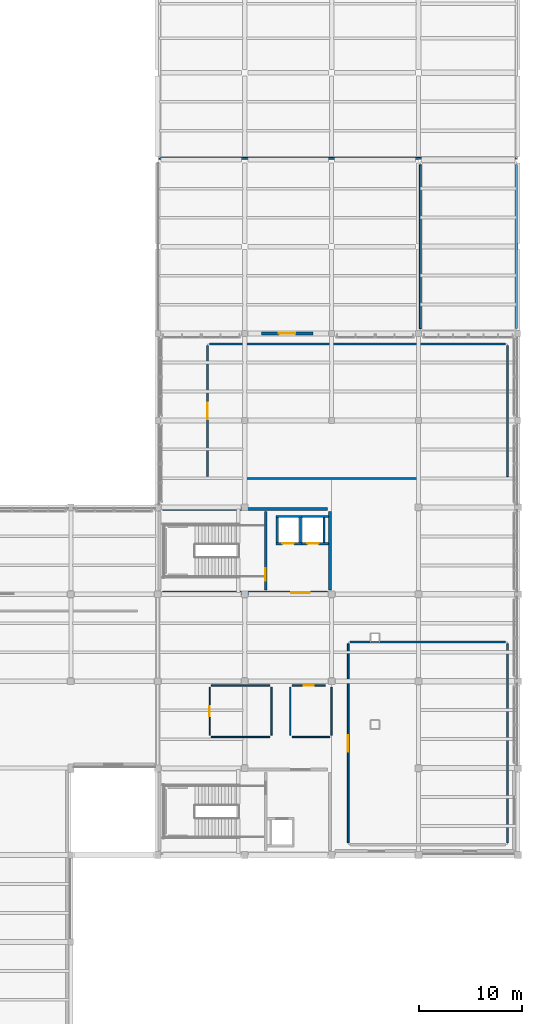
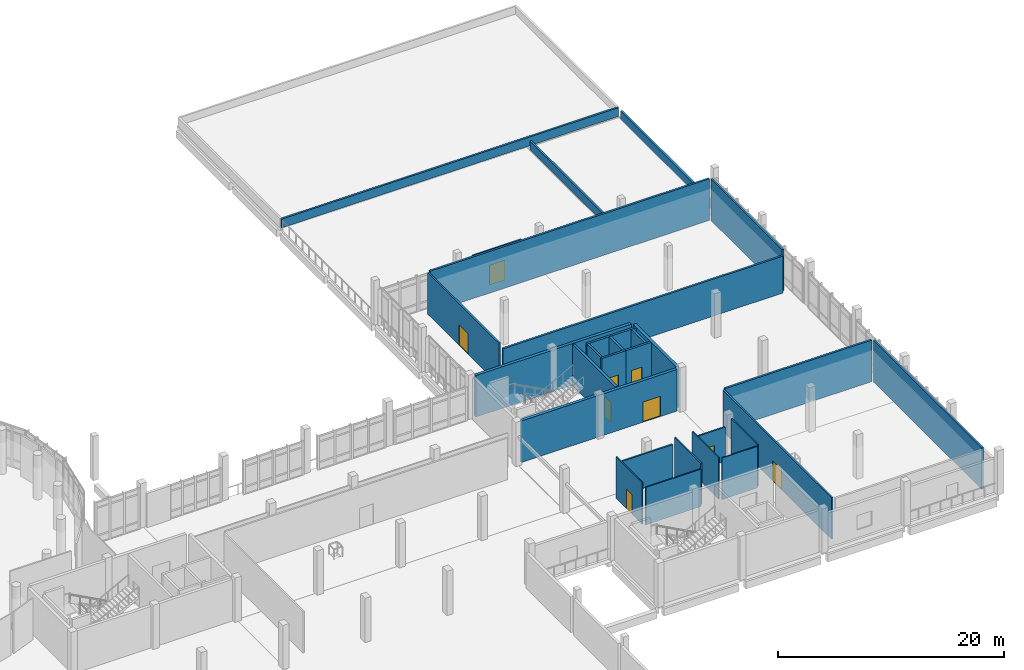
# One storey, part 47 of 63: 30 walls, 9 doors, 9 openings.
"""IFC4 building model written with IfcOpenShell, lengths in metres."""

from ifc_helpers import new_model, si_unit, derived_unit, direction, frame, frame_2d, origin, place, context, subcontext, project, spatial, rectangle, extrude, material, layer, layer_set, type_object, element, fill, save


model = new_model("IFC4")

# Units and contexts
model_context = context("Model", 3, precision=1e-05, world=origin(), true_north=direction((0.0, 1.0)))
body_context = subcontext(model_context, "Body", "Model", "MODEL_VIEW")
ifc_project = project(units=[si_unit("LENGTHUNIT", "METRE"), si_unit("AREAUNIT", "SQUARE_METRE"), si_unit("VOLUMEUNIT", "CUBIC_METRE"), si_unit("PLANEANGLEUNIT", "RADIAN"), si_unit("MASSUNIT", "GRAM", prefix="KILO"), derived_unit("THERMALTRANSMITTANCEUNIT", [(si_unit("POWERUNIT", "WATT"), 1), (si_unit("LENGTHUNIT", "METRE"), -2), (si_unit("THERMODYNAMICTEMPERATUREUNIT", "KELVIN"), -1)])], contexts=[model_context])

# Site, building, storey
site_placement = place(None, origin())
site = spatial("IfcSite", under=ifc_project, at=site_placement, CompositionType="ELEMENT")
building_placement = place(site_placement, origin())
building = spatial("IfcBuilding", under=site, at=building_placement, Name="Elbkamm Science Centre", CompositionType="ELEMENT")
storey_placement = place(building_placement, frame((0.0, 0.0, 5.10009765625)))
storey = spatial("IfcBuildingStorey", under=building, at=storey_placement, Name="L01", CompositionType="ELEMENT", Elevation=5.10009765625)

# Wall, opening, door
ifc_material_1 = material(Name="Reinforced concrete C40/50", Category="concrete")
ifc_layer_1 = layer(ifc_material_1, 0.25)
ifc_layer_set_1 = layer_set([ifc_layer_1], Name="Reinforced concrete C40/50")
wall_type_1 = type_object("IfcWallType", Name="WL-CORE-250", PredefinedType="SHEAR", material=ifc_layer_set_1)
wall_1_placement = place(storey_placement, frame((136.419921875, 50.820068359375, 0.0), z_axis=(0.0, 0.0, 1.0), x_axis=(0.0, 1.0, 0.0)))
wall_1 = element("IfcWall", 1, at=wall_1_placement, inside=storey, type_object=wall_type_1, Name="L01 C3 Stairwell Compartment Wall", PredefinedType="SHEAR", context=body_context, shape_type="SweptSolid", body=[
    extrude(rectangle(XDim=7.559814453125, YDim=0.25, at=frame_2d((3.77978515625, 0.0))), origin(), (0.0, 0.0, 1.0), 4.5),
])
opening_1_placement = place(wall_1_placement, frame((0.89990234375, 0.0, 0.0)))
opening_1 = element("IfcOpeningElement", 2, at=opening_1_placement, cuts=wall_1, Name="Opening DC-02", PredefinedType="OPENING", context=body_context, shape_type="SweptSolid", body=[
    extrude(rectangle(XDim=1.199951171875, YDim=2.199951171875, at=frame_2d((0.60009765625, 1.10009765625))), frame((0.0, 0.136962890625, 0.0), z_axis=(0.0, -1.0, 0.0), x_axis=(1.0, 0.0, 0.0)), (0.0, 0.0, 1.0), 0.27392578125),
])
ifc_material_2 = material(Name="Fire-rated steel acoustic door", Category="steel")
ifc_layer_2 = layer(ifc_material_2, 0.050048828125)
ifc_layer_set_2 = layer_set([ifc_layer_2], Name="Fire-rated steel acoustic door")
door_type_1 = type_object("IfcDoorType", Name="DR-CORE-1200x2200", OperationType="NOTDEFINED", PredefinedType="DOOR", material=ifc_layer_set_2)
door_1_placement = place(opening_1_placement, origin())
door_1 = element("IfcDoor", 3, at=door_1_placement, inside=storey, type_object=door_type_1, Name="L01 ST-C3 Stairwell Fire Door", OperationType="SINGLE_SWING_LEFT", OverallHeight=2.199951171875, OverallWidth=1.199951171875, PredefinedType="DOOR", context=body_context, shape_type="SweptSolid", body=[
    extrude(rectangle(XDim=1.199951171875, YDim=2.199951171875, at=frame_2d((0.60009765625, 1.10009765625))), frame((0.0, 0.02490234375, 0.0), z_axis=(0.0, -1.0, 0.0), x_axis=(1.0, 0.0, 0.0)), (0.0, 0.0, 1.0), 0.050048828125),
])
fill(opening_1, door_1)

ifc_layer_3 = layer(ifc_material_1, 0.300048828125)
ifc_layer_set_3 = layer_set([ifc_layer_3], Name="Reinforced concrete C40/50")
wall_type_2 = type_object("IfcWallType", Name="WL-CORE-300", PredefinedType="SHEAR", material=ifc_layer_set_3)
wall_2_placement = place(storey_placement, frame((126.449951171875, 50.550048828125, 0.0), z_axis=(0.0, 0.0, 1.0), x_axis=(1.0, 0.0, 0.0)))
wall_2 = element("IfcWall", 4, at=wall_2_placement, inside=storey, type_object=wall_type_2, Name="L01 Core C3 Northeast Laboratories and Observatory Core Shear Wall S", PredefinedType="SHEAR", context=body_context, shape_type="SweptSolid", body=[
    extrude(rectangle(XDim=15.929931640625, YDim=0.300048828125, at=frame_2d((7.96484375, 0.0))), origin(), (0.0, 0.0, 1.0), 4.5),
])
opening_2_placement = place(wall_2_placement, frame((12.429931640625, 0.0, 0.0)))
opening_2 = element("IfcOpeningElement", 5, at=opening_2_placement, cuts=wall_2, Name="Opening DC-01", PredefinedType="OPENING", context=body_context, shape_type="SweptSolid", body=[
    extrude(rectangle(XDim=1.800048828125, YDim=2.199951171875, at=frame_2d((0.89990234375, 1.10009765625))), frame((0.0, 0.162109375, 0.0), z_axis=(0.0, -1.0, 0.0), x_axis=(1.0, 0.0, 0.0)), (0.0, 0.0, 1.0), 0.323974609375),
])
ifc_layer_4 = layer(ifc_material_2, 0.050048828125)
ifc_layer_set_4 = layer_set([ifc_layer_4], Name="Fire-rated steel acoustic door")
door_type_2 = type_object("IfcDoorType", Name="DR-CORE-1800x2200", OperationType="DOUBLE_DOOR_SINGLE_SWING", PredefinedType="DOOR", material=ifc_layer_set_4)
door_2_placement = place(opening_2_placement, origin())
door_2 = element("IfcDoor", 6, at=door_2_placement, inside=storey, type_object=door_type_2, Name="L01 C3 Core Lobby Fire Door", OperationType="DOUBLE_DOOR_SINGLE_SWING", OverallHeight=2.199951171875, OverallWidth=1.800048828125, PredefinedType="DOOR", context=body_context, shape_type="SweptSolid", body=[
    extrude(rectangle(XDim=1.800048828125, YDim=2.199951171875, at=frame_2d((0.89990234375, 1.10009765625))), frame((0.0, 0.02490234375, 0.0), z_axis=(0.0, -1.0, 0.0), x_axis=(1.0, 0.0, 0.0)), (0.0, 0.0, 1.0), 0.050048828125),
])
fill(opening_2, door_2)

# Walls
wall_3_placement = place(storey_placement, frame((126.449951171875, 58.64990234375, 0.0), z_axis=(0.0, 0.0, 1.0), x_axis=(1.0, 0.0, 0.0)))
element("IfcWall", 7, at=wall_3_placement, inside=storey, type_object=wall_type_2, Name="L01 Core C3 Northeast Laboratories and Observatory Core Shear Wall N", PredefinedType="SHEAR", context=body_context, shape_type="SweptSolid", body=[
    extrude(rectangle(XDim=15.929931640625, YDim=0.300048828125, at=frame_2d((7.96484375, 0.0))), origin(), (0.0, 0.0, 1.0), 4.5),
])
wall_4_placement = place(storey_placement, frame((142.64990234375, 50.820068359375, 0.0), z_axis=(0.0, 0.0, 1.0), x_axis=(0.0, 1.0, 0.0)))
element("IfcWall", 8, at=wall_4_placement, inside=storey, type_object=wall_type_2, Name="L01 Core C3 Northeast Laboratories and Observatory Core Shear Wall E", PredefinedType="SHEAR", context=body_context, shape_type="SweptSolid", body=[
    extrude(rectangle(XDim=7.559814453125, YDim=0.300048828125, at=frame_2d((3.77978515625, 0.0))), origin(), (0.0, 0.0, 1.0), 4.5),
])

# Wall, opening, door
ifc_material_3 = material(Name="White precast concrete C40/50", Category="concrete")
ifc_layer_5 = layer(ifc_material_3, 0.27001953125)
ifc_layer_set_5 = layer_set([ifc_layer_5], Name="White precast concrete C40/50")
wall_type_3 = type_object("IfcWallType", Name="WL-EXT-270", PredefinedType="SOLIDWALL", material=ifc_layer_set_5)
wall_5_placement = place(storey_placement, frame((136.0, 75.60009765625, 0.0), z_axis=(0.0, 0.0, 1.0), x_axis=(1.0, 0.0, 0.0)))
wall_5 = element("IfcWall", 9, at=wall_5_placement, inside=storey, type_object=wall_type_3, Name="Outdoor Tidal Science Deck Portal Wall", PredefinedType="SOLIDWALL", context=body_context, shape_type="SweptSolid", body=[
    extrude(rectangle(XDim=5.0, YDim=0.27001953125, at=frame_2d((2.5, 0.0))), origin(), (0.0, 0.0, 1.0), 3.77978515625),
])
opening_3_placement = place(wall_5_placement, frame((1.699951171875, 0.0, 0.0)))
opening_3 = element("IfcOpeningElement", 10, at=opening_3_placement, cuts=wall_5, Name="Opening TD-02", PredefinedType="OPENING", context=body_context, shape_type="SweptSolid", body=[
    extrude(rectangle(XDim=1.60009765625, YDim=2.14990234375, at=frame_2d((0.800048828125, 1.074951171875))), frame((0.0, 0.14697265625, 0.0), z_axis=(0.0, -1.0, 0.0), x_axis=(1.0, 0.0, 0.0)), (0.0, 0.0, 1.0), 0.2939453125),
])
ifc_material_4 = material(Name="Powder-coated aluminium and laminated glass", Category="aluminium")
ifc_layer_6 = layer(ifc_material_4, 0.050048828125)
ifc_layer_set_6 = layer_set([ifc_layer_6], Name="Powder-coated aluminium and laminated glass")
door_type_3 = type_object("IfcDoorType", Name="DR-TER-1600x2150", OperationType="DOUBLE_DOOR_SINGLE_SWING", PredefinedType="DOOR", material=ifc_layer_set_6)
door_3_placement = place(opening_3_placement, origin())
door_3 = element("IfcDoor", 11, at=door_3_placement, inside=storey, type_object=door_type_3, Name="Outdoor Tidal Science Deck Access Door", OperationType="DOUBLE_DOOR_SINGLE_SWING", OverallHeight=2.14990234375, OverallWidth=1.60009765625, PredefinedType="DOOR", context=body_context, shape_type="SweptSolid", body=[
    extrude(rectangle(XDim=1.60009765625, YDim=2.14990234375, at=frame_2d((0.800048828125, 1.074951171875))), frame((0.0, 0.02490234375, 0.0), z_axis=(0.0, -1.0, 0.0), x_axis=(1.0, 0.0, 0.0)), (0.0, 0.0, 1.0), 0.050048828125),
])
fill(opening_3, door_3)

# Wall
ifc_material_5 = material(Name="Fire-rated gypsum stud partition", Category="gypsum")
ifc_layer_7 = layer(ifc_material_5, 0.175048828125)
ifc_layer_set_7 = layer_set([ifc_layer_7], Name="Fire-rated gypsum stud partition")
wall_type_4 = type_object("IfcWallType", Name="WL-FIRE-175", PredefinedType="PARTITIONING", material=ifc_layer_set_7)
wall_6_placement = place(storey_placement, frame((159.800048828125, 45.6201171875, 0.0), z_axis=(0.0, 0.0, 1.0), x_axis=(0.0, -1.0, 0.0)))
element("IfcWall", 12, at=wall_6_placement, inside=storey, type_object=wall_type_4, Name="L01 Chemistry Wet Teaching Laboratory Partition 0117", PredefinedType="PARTITIONING", context=body_context, shape_type="SweptSolid", body=[
    extrude(rectangle(XDim=19.240234375, YDim=0.175048828125, at=frame_2d((9.6201171875, 0.0))), origin(), (0.0, 0.0, 1.0), 4.5),
])

# Wall, opening, door
wall_7_placement = place(storey_placement, frame((144.39990234375, 26.3798828125, 0.0), z_axis=(0.0, 0.0, 1.0), x_axis=(0.0, 1.0, 0.0)))
wall_7 = element("IfcWall", 13, at=wall_7_placement, inside=storey, type_object=wall_type_4, Name="L01 Chemistry Wet Teaching Laboratory Partition 0119", PredefinedType="PARTITIONING", context=body_context, shape_type="SweptSolid", body=[
    extrude(rectangle(XDim=19.240234375, YDim=0.175048828125, at=frame_2d((9.6201171875, 0.0))), origin(), (0.0, 0.0, 1.0), 4.5),
])
opening_4_placement = place(wall_7_placement, frame((8.820068359375, 0.0, 0.0)))
opening_4 = element("IfcOpeningElement", 14, at=opening_4_placement, cuts=wall_7, Name="Opening DF-01", PredefinedType="OPENING", context=body_context, shape_type="SweptSolid", body=[
    extrude(rectangle(XDim=1.60009765625, YDim=2.199951171875, at=frame_2d((0.800048828125, 1.10009765625))), frame((0.0, 0.099609375, 0.0), z_axis=(0.0, -1.0, 0.0), x_axis=(1.0, 0.0, 0.0)), (0.0, 0.0, 1.0), 0.198974609375),
])
ifc_material_6 = material(Name="Fire-rated timber acoustic door", Category="wood")
ifc_layer_8 = layer(ifc_material_6, 0.050048828125)
ifc_layer_set_8 = layer_set([ifc_layer_8], Name="Fire-rated timber acoustic door")
door_type_4 = type_object("IfcDoorType", Name="DR-FIRE-1600x2200", OperationType="DOUBLE_DOOR_SINGLE_SWING", PredefinedType="DOOR", material=ifc_layer_set_8)
door_4_placement = place(opening_4_placement, origin())
door_4 = element("IfcDoor", 15, at=door_4_placement, inside=storey, type_object=door_type_4, Name="L01 Chemistry Wet Teaching Laboratory Door", OperationType="DOUBLE_DOOR_SINGLE_SWING", OverallHeight=2.199951171875, OverallWidth=1.60009765625, PredefinedType="DOOR", context=body_context, shape_type="SweptSolid", body=[
    extrude(rectangle(XDim=1.60009765625, YDim=2.199951171875, at=frame_2d((0.800048828125, 1.10009765625))), frame((0.0, 0.02490234375, 0.0), z_axis=(0.0, -1.0, 0.0), x_axis=(1.0, 0.0, 0.0)), (0.0, 0.0, 1.0), 0.050048828125),
])
fill(opening_4, door_4)

# Wall
wall_8_placement = place(storey_placement, frame((159.800048828125, 74.419921875, 0.0), z_axis=(0.0, 0.0, 1.0), x_axis=(0.0, -1.0, 0.0)))
element("IfcWall", 16, at=wall_8_placement, inside=storey, type_object=wall_type_4, Name="L01 Marine Biology Teaching Laboratory Partition 0121", PredefinedType="PARTITIONING", context=body_context, shape_type="SweptSolid", body=[
    extrude(rectangle(XDim=12.639892578125, YDim=0.175048828125, at=frame_2d((6.31982421875, 0.0))), origin(), (0.0, 0.0, 1.0), 4.5),
])

# Wall, opening, door
wall_9_placement = place(storey_placement, frame((130.800048828125, 61.780029296875, 0.0), z_axis=(0.0, 0.0, 1.0), x_axis=(0.0, 1.0, 0.0)))
wall_9 = element("IfcWall", 17, at=wall_9_placement, inside=storey, type_object=wall_type_4, Name="L01 Marine Biology Teaching Laboratory Partition 0123", PredefinedType="PARTITIONING", context=body_context, shape_type="SweptSolid", body=[
    extrude(rectangle(XDim=12.639892578125, YDim=0.175048828125, at=frame_2d((6.31982421875, 0.0))), origin(), (0.0, 0.0, 1.0), 4.5),
])
opening_5_placement = place(wall_9_placement, frame((5.52001953125, 0.0, 0.0)))
opening_5 = element("IfcOpeningElement", 18, at=opening_5_placement, cuts=wall_9, Name="Opening DF-01", PredefinedType="OPENING", context=body_context, shape_type="SweptSolid", body=[
    extrude(rectangle(XDim=1.60009765625, YDim=2.199951171875, at=frame_2d((0.800048828125, 1.10009765625))), frame((0.0, 0.099609375, 0.0), z_axis=(0.0, -1.0, 0.0), x_axis=(1.0, 0.0, 0.0)), (0.0, 0.0, 1.0), 0.198974609375),
])
door_5_placement = place(opening_5_placement, origin())
door_5 = element("IfcDoor", 19, at=door_5_placement, inside=storey, type_object=door_type_4, Name="L01 Marine Biology Teaching Laboratory Door", OperationType="DOUBLE_DOOR_SINGLE_SWING", OverallHeight=2.199951171875, OverallWidth=1.60009765625, PredefinedType="DOOR", context=body_context, shape_type="SweptSolid", body=[
    extrude(rectangle(XDim=1.60009765625, YDim=2.199951171875, at=frame_2d((0.800048828125, 1.10009765625))), frame((0.0, 0.02490234375, 0.0), z_axis=(0.0, -1.0, 0.0), x_axis=(1.0, 0.0, 0.0)), (0.0, 0.0, 1.0), 0.050048828125),
])
fill(opening_5, door_5)

# Walls
ifc_material_7 = material(Name="Fire-rated acoustic blockwork", Category="masonry")
ifc_layer_9 = layer(ifc_material_7, 0.199951171875)
ifc_layer_set_9 = layer_set([ifc_layer_9], Name="Fire-rated acoustic blockwork")
wall_type_5 = type_object("IfcWallType", Name="WL-FIRE-200", PredefinedType="PARTITIONING", material=ifc_layer_set_9)
wall_10_placement = place(storey_placement, frame((144.580078125, 45.800048828125, 0.0), z_axis=(0.0, 0.0, 1.0), x_axis=(1.0, 0.0, 0.0)))
element("IfcWall", 20, at=wall_10_placement, inside=storey, type_object=wall_type_5, Name="L01 Chemistry Wet Teaching Laboratory Partition 0116", PredefinedType="PARTITIONING", context=body_context, shape_type="SweptSolid", body=[
    extrude(rectangle(XDim=15.0400390625, YDim=0.199951171875, at=frame_2d((7.52001953125, 0.0))), origin(), (0.0, 0.0, 1.0), 4.5),
])
wall_11_placement = place(storey_placement, frame((130.97998046875, 74.60009765625, 0.0), z_axis=(0.0, 0.0, 1.0), x_axis=(1.0, 0.0, 0.0)))
element("IfcWall", 21, at=wall_11_placement, inside=storey, type_object=wall_type_5, Name="L01 Marine Biology Teaching Laboratory Partition 0120", PredefinedType="PARTITIONING", context=body_context, shape_type="SweptSolid", body=[
    extrude(rectangle(XDim=28.64013671875, YDim=0.199951171875, at=frame_2d((14.320068359375, 0.0))), origin(), (0.0, 0.0, 1.0), 4.5),
])
wall_12_placement = place(storey_placement, frame((159.6201171875, 61.60009765625, 0.0), z_axis=(0.0, 0.0, 1.0), x_axis=(-1.0, 0.0, 0.0)))
element("IfcWall", 22, at=wall_12_placement, inside=storey, type_object=wall_type_5, Name="L01 Marine Biology Teaching Laboratory Partition 0122", PredefinedType="PARTITIONING", context=body_context, shape_type="SweptSolid", body=[
    extrude(rectangle(XDim=28.64013671875, YDim=0.199951171875, at=frame_2d((14.320068359375, 0.0))), origin(), (0.0, 0.0, 1.0), 4.0),
])
ifc_layer_10 = layer(ifc_material_3, 0.18994140625)
ifc_layer_set_10 = layer_set([ifc_layer_10], Name="White precast concrete C40/50")
wall_type_6 = type_object("IfcWallType", Name="WL-PAR-190", PredefinedType="PARAPET", material=ifc_layer_set_10)
wall_13_placement = place(storey_placement, frame((160.659912109375, 92.550048828125, 0.0), z_axis=(0.0, 0.0, 1.0), x_axis=(-1.0, 0.0, 0.0)))
element("IfcWall", 23, at=wall_13_placement, inside=storey, type_object=wall_type_6, Name="L01 Roof Parapet Wall 021", PredefinedType="PARAPET", context=body_context, shape_type="SweptSolid", body=[
    extrude(rectangle(XDim=34.494873046875, YDim=0.18994140625, at=frame_2d((17.24755859375, 0.0))), origin(), (0.0, 0.0, 1.0), 0.949951171875),
])
wall_14_placement = place(storey_placement, frame((151.3701171875, 76.08349609375, 0.0), z_axis=(0.0, 0.0, 1.0), x_axis=(0.0, 1.0, 0.0)))
element("IfcWall", 24, at=wall_14_placement, inside=storey, type_object=wall_type_6, Name="L01 Roof Parapet Wall 029", PredefinedType="PARAPET", context=body_context, shape_type="SweptSolid", body=[
    extrude(rectangle(XDim=15.8330078125, YDim=0.18994140625, at=frame_2d((7.91650390625, 0.0))), origin(), (0.0, 0.0, 1.0), 0.949951171875),
])
ifc_layer_11 = layer(ifc_material_3, 0.2099609375)
ifc_layer_set_11 = layer_set([ifc_layer_11], Name="White precast concrete C40/50")
wall_type_7 = type_object("IfcWallType", Name="WL-PAR-210", PredefinedType="PARAPET", material=ifc_layer_set_11)
wall_15_placement = place(storey_placement, frame((160.659912109375, 91.91650390625, 0.0), z_axis=(0.0, 0.0, 1.0), x_axis=(0.0, -1.0, 0.0)))
element("IfcWall", 25, at=wall_15_placement, inside=storey, type_object=wall_type_7, Name="L01 Roof Parapet Wall 030", PredefinedType="PARAPET", context=body_context, shape_type="SweptSolid", body=[
    extrude(rectangle(XDim=15.8330078125, YDim=0.2099609375, at=frame_2d((7.91650390625, 0.0))), origin(), (0.0, 0.0, 1.0), 0.949951171875),
])

# Wall, opening, door
ifc_material_8 = material(Name="Drywall service partition", Category="gypsum")
ifc_layer_12 = layer(ifc_material_8, 0.10009765625)
ifc_layer_set_12 = layer_set([ifc_layer_12], Name="Drywall service partition")
wall_type_8 = type_object("IfcWallType", Name="WL-PART-100", PredefinedType="PARTITIONING", material=ifc_layer_set_12)
wall_16_placement = place(storey_placement, frame((131.0, 36.780029296875, 0.0), z_axis=(0.0, 0.0, 1.0), x_axis=(0.0, 1.0, 0.0)))
wall_16 = element("IfcWall", 26, at=wall_16_placement, inside=storey, type_object=wall_type_8, Name="L01 Public Washrooms L01 Partition 0131", PredefinedType="PARTITIONING", context=body_context, shape_type="SweptSolid", body=[
    extrude(rectangle(XDim=4.639892578125, YDim=0.10009765625, at=frame_2d((2.31982421875, 0.0))), origin(), (0.0, 0.0, 1.0), 4.5),
])
opening_6_placement = place(wall_16_placement, frame((1.844970703125, 0.0, 0.0)))
opening_6 = element("IfcOpeningElement", 27, at=opening_6_placement, cuts=wall_16, Name="Opening DI-09", PredefinedType="OPENING", context=body_context, shape_type="SweptSolid", body=[
    extrude(rectangle(XDim=0.949951171875, YDim=2.10009765625, at=frame_2d((0.47509765625, 1.050048828125))), frame((0.0, 0.06201171875, 0.0), z_axis=(0.0, -1.0, 0.0), x_axis=(1.0, 0.0, 0.0)), (0.0, 0.0, 1.0), 0.1240234375),
])
ifc_material_9 = material(Name="Powder-coated aluminium washroom door", Category="aluminium")
ifc_layer_13 = layer(ifc_material_9, 0.050048828125)
ifc_layer_set_13 = layer_set([ifc_layer_13], Name="Powder-coated aluminium washroom door")
door_type_5 = type_object("IfcDoorType", Name="DR-INT-950x2100", OperationType="NOTDEFINED", PredefinedType="DOOR", material=ifc_layer_set_13)
door_6_placement = place(opening_6_placement, origin())
door_6 = element("IfcDoor", 28, at=door_6_placement, inside=storey, type_object=door_type_5, Name="L01 Public Washrooms L01 Door", OperationType="SINGLE_SWING_LEFT", OverallHeight=2.10009765625, OverallWidth=0.949951171875, PredefinedType="DOOR", context=body_context, shape_type="SweptSolid", body=[
    extrude(rectangle(XDim=0.949951171875, YDim=2.10009765625, at=frame_2d((0.47509765625, 1.050048828125))), frame((0.0, 0.02490234375, 0.0), z_axis=(0.0, -1.0, 0.0), x_axis=(1.0, 0.0, 0.0)), (0.0, 0.0, 1.0), 0.050048828125),
])
fill(opening_6, door_6)

# Walls
wall_17_placement = place(storey_placement, frame((138.800048828125, 36.780029296875, 0.0), z_axis=(0.0, 0.0, 1.0), x_axis=(0.0, 1.0, 0.0)))
element("IfcWall", 29, at=wall_17_placement, inside=storey, type_object=wall_type_8, Name="L01 Accessible WC L01 Partition 0135", PredefinedType="PARTITIONING", context=body_context, shape_type="SweptSolid", body=[
    extrude(rectangle(XDim=4.639892578125, YDim=0.10009765625, at=frame_2d((2.31982421875, 0.0))), origin(), (0.0, 0.0, 1.0), 4.5),
])
ifc_material_10 = material(Name="Lightweight metal-stud gypsum partition", Category="gypsum")
ifc_layer_14 = layer(ifc_material_10, 0.125)
ifc_layer_set_14 = layer_set([ifc_layer_14], Name="Lightweight metal-stud gypsum partition")
wall_type_9 = type_object("IfcWallType", Name="WL-PART-125", PredefinedType="PARTITIONING", material=ifc_layer_set_14)
wall_18_placement = place(storey_placement, frame((136.820068359375, 36.60009765625, 0.0), z_axis=(0.0, 0.0, 1.0), x_axis=(-1.0, 0.0, 0.0)))
element("IfcWall", 30, at=wall_18_placement, inside=storey, type_object=wall_type_9, Name="L01 Public Washrooms L01 Partition 0130", PredefinedType="PARTITIONING", context=body_context, shape_type="SweptSolid", body=[
    extrude(rectangle(XDim=5.64013671875, YDim=0.125, at=frame_2d((2.820068359375, 0.0))), origin(), (0.0, 0.0, 1.0), 4.0498046875),
])
wall_19_placement = place(storey_placement, frame((142.6201171875, 36.60009765625, 0.0), z_axis=(0.0, 0.0, 1.0), x_axis=(-1.0, 0.0, 0.0)))
element("IfcWall", 31, at=wall_19_placement, inside=storey, type_object=wall_type_9, Name="L01 Accessible WC L01 Partition 0134", PredefinedType="PARTITIONING", context=body_context, shape_type="SweptSolid", body=[
    extrude(rectangle(XDim=3.64013671875, YDim=0.125, at=frame_2d((1.820068359375, 0.0))), origin(), (0.0, 0.0, 1.0), 4.5),
])
ifc_material_11 = material(Name="Acoustic metal-stud gypsum partition", Category="gypsum")
ifc_layer_15 = layer(ifc_material_11, 0.139892578125)
ifc_layer_set_15 = layer_set([ifc_layer_15], Name="Acoustic metal-stud gypsum partition")
wall_type_10 = type_object("IfcWallType", Name="WL-PART-140", PredefinedType="PARTITIONING", material=ifc_layer_set_15)
for number, where, z_axis, x_axis, name in (
    (32, (137.0, 41.419921875, 0.0), (0.0, 0.0, 1.0), (0.0, -1.0, 0.0), "L01 Public Washrooms L01 Partition 0129"),
    (33, (142.800048828125, 41.419921875, 0.0), (0.0, 0.0, 1.0), (0.0, -1.0, 0.0), "L01 Accessible WC L01 Partition 0133"),
):
    element("IfcWall", number, at=place(storey_placement, frame(where, z_axis=z_axis, x_axis=x_axis)), inside=storey, type_object=wall_type_10, Name=name, PredefinedType="PARTITIONING", context=body_context, shape_type="SweptSolid", body=[
        extrude(rectangle(XDim=4.639892578125, YDim=0.139892578125, at=frame_2d((2.31982421875, 0.0))), origin(), (0.0, 0.0, 1.0), 4.5),
    ])
ifc_layer_16 = layer(ifc_material_11, 0.159912109375)
ifc_layer_set_16 = layer_set([ifc_layer_16], Name="Acoustic metal-stud gypsum partition")
wall_type_11 = type_object("IfcWallType", Name="WL-PART-160", PredefinedType="PARTITIONING", material=ifc_layer_set_16)
wall_20_placement = place(storey_placement, frame((131.179931640625, 41.60009765625, 0.0), z_axis=(0.0, 0.0, 1.0), x_axis=(1.0, 0.0, 0.0)))
element("IfcWall", 34, at=wall_20_placement, inside=storey, type_object=wall_type_11, Name="L01 Public Washrooms L01 Partition 0128", PredefinedType="PARTITIONING", context=body_context, shape_type="SweptSolid", body=[
    extrude(rectangle(XDim=5.64013671875, YDim=0.159912109375, at=frame_2d((2.820068359375, 0.0))), origin(), (0.0, 0.0, 1.0), 3.699951171875),
])

# Wall, opening, door
wall_21_placement = place(storey_placement, frame((138.97998046875, 41.60009765625, 0.0), z_axis=(0.0, 0.0, 1.0), x_axis=(1.0, 0.0, 0.0)))
wall_21 = element("IfcWall", 35, at=wall_21_placement, inside=storey, type_object=wall_type_11, Name="L01 Accessible WC L01 Partition 0132", PredefinedType="PARTITIONING", context=body_context, shape_type="SweptSolid", body=[
    extrude(rectangle(XDim=3.219970703125, YDim=0.159912109375, at=frame_2d((1.60986328125, 0.0))), origin(), (0.0, 0.0, 1.0), 3.699951171875),
])
opening_7_placement = place(wall_21_placement, frame((1.110107421875, 0.0, 0.0)))
opening_7 = element("IfcOpeningElement", 36, at=opening_7_placement, cuts=wall_21, Name="Opening DI-10", PredefinedType="OPENING", context=body_context, shape_type="SweptSolid", body=[
    extrude(rectangle(XDim=1.0, YDim=2.10009765625, at=frame_2d((0.5, 1.050048828125))), frame((0.0, 0.091796875, 0.0), z_axis=(0.0, -1.0, 0.0), x_axis=(1.0, 0.0, 0.0)), (0.0, 0.0, 1.0), 0.183837890625),
])
ifc_material_12 = material(Name="Powder-coated aluminium accessible WC door", Category="aluminium")
ifc_layer_17 = layer(ifc_material_12, 0.050048828125)
ifc_layer_set_17 = layer_set([ifc_layer_17], Name="Powder-coated aluminium accessible WC door")
door_type_6 = type_object("IfcDoorType", Name="DR-AWC-1000x2100", OperationType="NOTDEFINED", PredefinedType="DOOR", material=ifc_layer_set_17)
door_7_placement = place(opening_7_placement, origin())
door_7 = element("IfcDoor", 37, at=door_7_placement, inside=storey, type_object=door_type_6, Name="L01 Accessible WC L01 Door", OperationType="SINGLE_SWING_RIGHT", OverallHeight=2.10009765625, OverallWidth=1.0, PredefinedType="DOOR", context=body_context, shape_type="SweptSolid", body=[
    extrude(rectangle(XDim=1.0, YDim=2.10009765625, at=frame_2d((0.5, 1.050048828125))), frame((0.0, 0.02490234375, 0.0), z_axis=(0.0, -1.0, 0.0), x_axis=(1.0, 0.0, 0.0)), (0.0, 0.0, 1.0), 0.050048828125),
])
fill(opening_7, door_7)

# Walls
ifc_layer_18 = layer(ifc_material_1, 0.219970703125)
ifc_layer_set_18 = layer_set([ifc_layer_18], Name="Reinforced concrete C40/50")
wall_type_12 = type_object("IfcWallType", Name="WL-SHAFT-220", PredefinedType="SOLIDWALL", material=ifc_layer_set_18)
wall_22_placement = place(storey_placement, frame((137.5400390625, 55.39990234375, 0.0), z_axis=(0.0, 0.0, 1.0), x_axis=(0.0, 1.0, 0.0)))
element("IfcWall", 38, at=wall_22_placement, inside=storey, type_object=wall_type_12, Name="L01 Lift LP1 Shaft West Wall", PredefinedType="SOLIDWALL", context=body_context, shape_type="SweptSolid", body=[
    extrude(rectangle(XDim=2.400146484375, YDim=0.219970703125, at=frame_2d((1.2001953125, 0.0))), origin(), (0.0, 0.0, 1.0), 4.5),
])
wall_23_placement = place(storey_placement, frame((137.429931640625, 57.909912109375, 0.0), z_axis=(0.0, 0.0, 1.0), x_axis=(1.0, 0.0, 0.0)))
element("IfcWall", 39, at=wall_23_placement, inside=storey, type_object=wall_type_12, Name="L01 Lift LP1 Shaft Back Wall", PredefinedType="SOLIDWALL", context=body_context, shape_type="SweptSolid", body=[
    extrude(rectangle(XDim=2.47998046875, YDim=0.219970703125, at=frame_2d((1.239990234375, 0.0))), origin(), (0.0, 0.0, 1.0), 4.5),
])

# Wall, opening, door
wall_24_placement = place(storey_placement, frame((137.429931640625, 55.2900390625, 0.0), z_axis=(0.0, 0.0, 1.0), x_axis=(1.0, 0.0, 0.0)))
wall_24 = element("IfcWall", 40, at=wall_24_placement, inside=storey, type_object=wall_type_12, Name="L01 Lift LP1 Shaft Front Wall", PredefinedType="SOLIDWALL", context=body_context, shape_type="SweptSolid", body=[
    extrude(rectangle(XDim=2.47998046875, YDim=0.219970703125, at=frame_2d((1.239990234375, 0.0))), origin(), (0.0, 0.0, 1.0), 4.5),
])
opening_8_placement = place(wall_24_placement, frame((0.6201171875, 0.0, 0.0)))
opening_8 = element("IfcOpeningElement", 41, at=opening_8_placement, cuts=wall_24, Name="Opening LD-01", PredefinedType="OPENING", context=body_context, shape_type="SweptSolid", body=[
    extrude(rectangle(XDim=1.10009765625, YDim=2.14990234375, at=frame_2d((0.550048828125, 1.074951171875))), frame((0.0, 0.1220703125, 0.0), z_axis=(0.0, -1.0, 0.0), x_axis=(1.0, 0.0, 0.0)), (0.0, 0.0, 1.0), 0.243896484375),
])
ifc_material_13 = material(Name="Stainless steel lift landing door", Category="steel")
ifc_layer_19 = layer(ifc_material_13, 0.050048828125)
ifc_layer_set_19 = layer_set([ifc_layer_19], Name="Stainless steel lift landing door")
door_type_7 = type_object("IfcDoorType", Name="DR-LIFT-1100x2150", OperationType="DOUBLE_DOOR_SLIDING", PredefinedType="DOOR", material=ifc_layer_set_19)
door_8_placement = place(opening_8_placement, origin())
door_8 = element("IfcDoor", 42, at=door_8_placement, inside=storey, type_object=door_type_7, Name="L01 Lift LP1 Sliding Landing Door", OperationType="DOUBLE_DOOR_SLIDING", OverallHeight=2.14990234375, OverallWidth=1.10009765625, PredefinedType="DOOR", context=body_context, shape_type="SweptSolid", body=[
    extrude(rectangle(XDim=1.10009765625, YDim=2.14990234375, at=frame_2d((0.550048828125, 1.074951171875))), frame((0.0, 0.02490234375, 0.0), z_axis=(0.0, -1.0, 0.0), x_axis=(1.0, 0.0, 0.0)), (0.0, 0.0, 1.0), 0.050048828125),
])
fill(opening_8, door_8)

# Walls
for number, where, z_axis, x_axis, name in (
    (43, (139.800048828125, 55.39990234375, 0.0), (0.0, 0.0, 1.0), (0.0, 1.0, 0.0), "L01 Lift LP2 Shaft Divider Wall"),
    (44, (142.06005859375, 55.39990234375, 0.0), (0.0, 0.0, 1.0), (0.0, 1.0, 0.0), "L01 Lift LP2 Shaft East Wall"),
):
    element("IfcWall", number, at=place(storey_placement, frame(where, z_axis=z_axis, x_axis=x_axis)), inside=storey, type_object=wall_type_12, Name=name, PredefinedType="SOLIDWALL", context=body_context, shape_type="SweptSolid", body=[
        extrude(rectangle(XDim=2.400146484375, YDim=0.219970703125, at=frame_2d((1.2001953125, 0.0))), origin(), (0.0, 0.0, 1.0), 4.5),
    ])
wall_25_placement = place(storey_placement, frame((139.68994140625, 57.909912109375, 0.0), z_axis=(0.0, 0.0, 1.0), x_axis=(1.0, 0.0, 0.0)))
element("IfcWall", 45, at=wall_25_placement, inside=storey, type_object=wall_type_12, Name="L01 Lift LP2 Shaft Back Wall", PredefinedType="SOLIDWALL", context=body_context, shape_type="SweptSolid", body=[
    extrude(rectangle(XDim=2.81005859375, YDim=0.219970703125, at=frame_2d((1.405029296875, 0.0))), origin(), (0.0, 0.0, 1.0), 4.5),
])

# Wall, opening, door
wall_26_placement = place(storey_placement, frame((139.68994140625, 55.2900390625, 0.0), z_axis=(0.0, 0.0, 1.0), x_axis=(1.0, 0.0, 0.0)))
wall_26 = element("IfcWall", 46, at=wall_26_placement, inside=storey, type_object=wall_type_12, Name="L01 Lift LP2 Shaft Front Wall", PredefinedType="SOLIDWALL", context=body_context, shape_type="SweptSolid", body=[
    extrude(rectangle(XDim=2.81005859375, YDim=0.219970703125, at=frame_2d((1.405029296875, 0.0))), origin(), (0.0, 0.0, 1.0), 4.5),
])
opening_9_placement = place(wall_26_placement, frame((0.760009765625, 0.0, 0.0)))
opening_9 = element("IfcOpeningElement", 47, at=opening_9_placement, cuts=wall_26, Name="Opening LD-01", PredefinedType="OPENING", context=body_context, shape_type="SweptSolid", body=[
    extrude(rectangle(XDim=1.10009765625, YDim=2.14990234375, at=frame_2d((0.550048828125, 1.074951171875))), frame((0.0, 0.1220703125, 0.0), z_axis=(0.0, -1.0, 0.0), x_axis=(1.0, 0.0, 0.0)), (0.0, 0.0, 1.0), 0.243896484375),
])
door_9_placement = place(opening_9_placement, origin())
door_9 = element("IfcDoor", 48, at=door_9_placement, inside=storey, type_object=door_type_7, Name="L01 Lift LP2 Sliding Landing Door", OperationType="DOUBLE_DOOR_SLIDING", OverallHeight=2.14990234375, OverallWidth=1.10009765625, PredefinedType="DOOR", context=body_context, shape_type="SweptSolid", body=[
    extrude(rectangle(XDim=1.10009765625, YDim=2.14990234375, at=frame_2d((0.550048828125, 1.074951171875))), frame((0.0, 0.02490234375, 0.0), z_axis=(0.0, -1.0, 0.0), x_axis=(1.0, 0.0, 0.0)), (0.0, 0.0, 1.0), 0.050048828125),
])
fill(opening_9, door_9)

save(model, "model.ifc")
